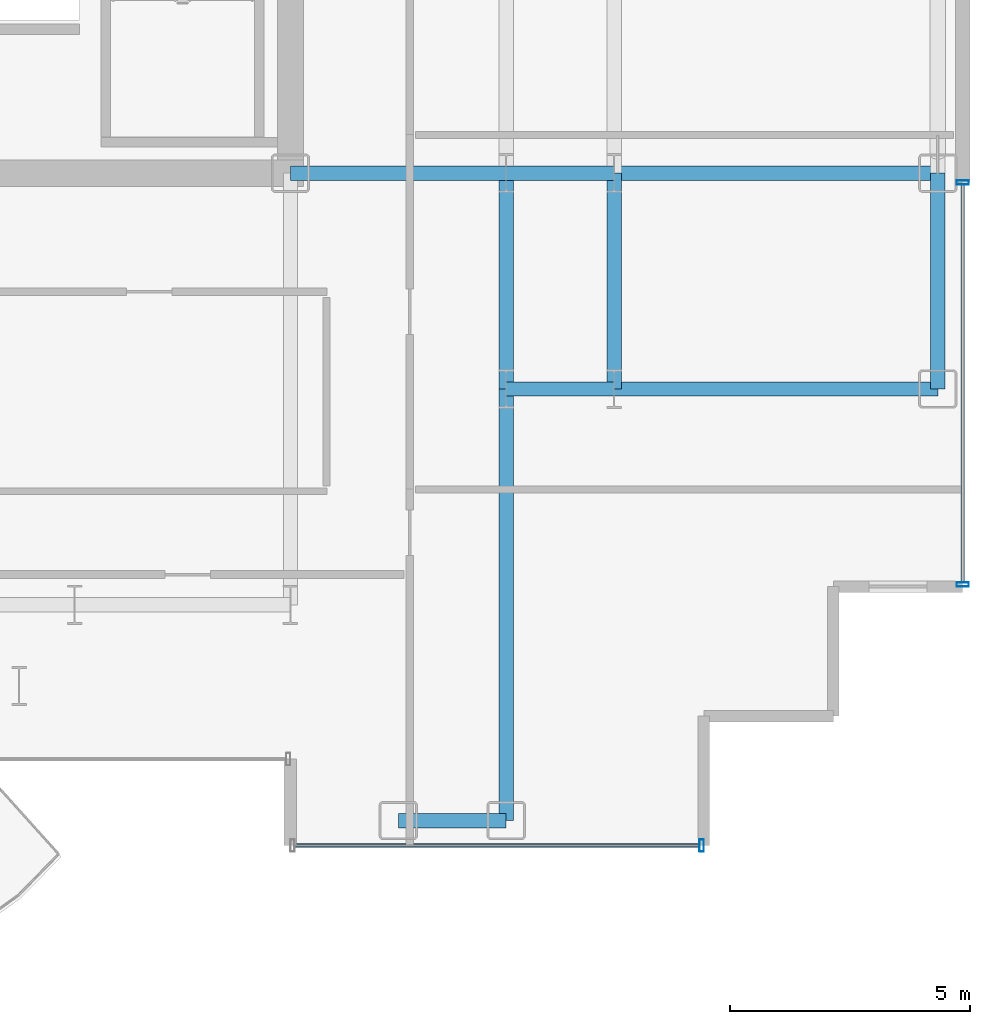
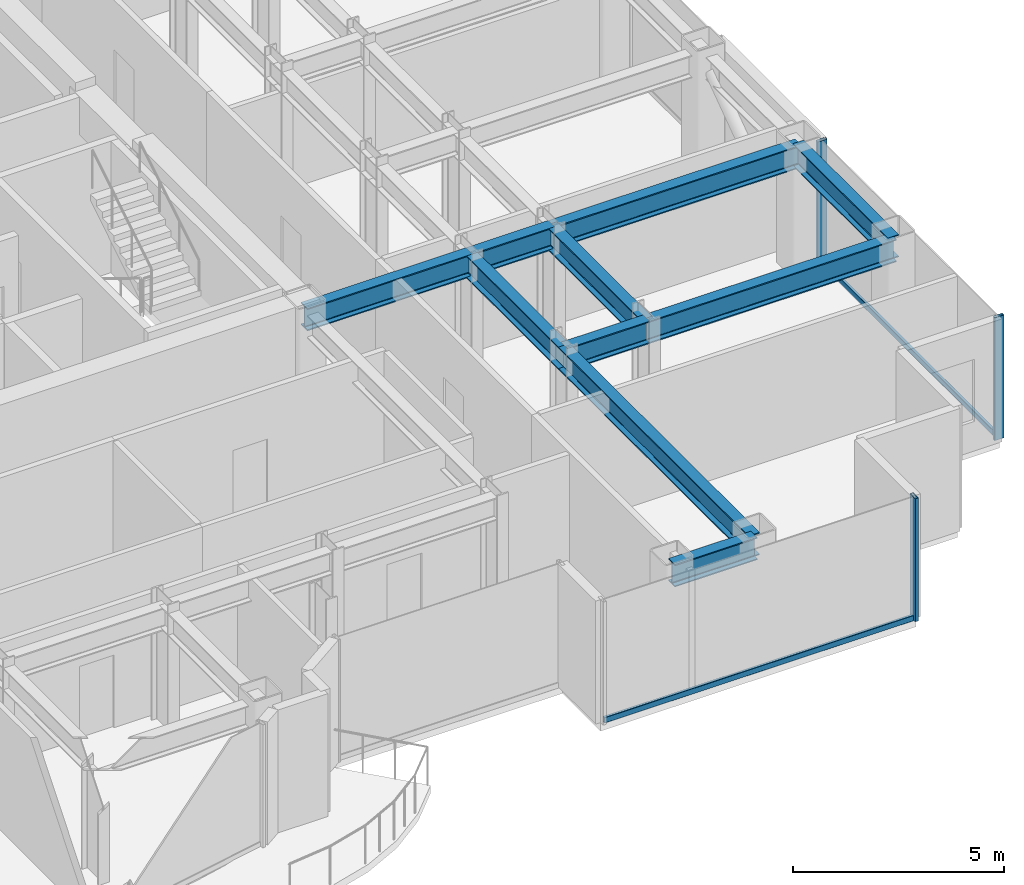
# One storey, part 10 of 25: 10 beams, 5 members, 2 elements without a shape of their own.
"""IFC4 building model written with IfcOpenShell, lengths in metres."""

import ifcopenshell
import ifcopenshell.guid

model = None  # the IFC model being written
_history = None  # IfcOwnerHistory: only IFC2X3 demands one
_inside = {}  # id of a spatial element -> (the spatial element, [elements in it])
_under = {}  # id of a project, library or spatial element -> (it, [spatial elements below it])
_declared = {}  # id of a project -> (the project, [libraries it declares])
_typed = {}  # id of a type object -> (the type object, [elements of that type])
_made_of = {}  # id of a material, layer set ... -> (it, [elements and type objects made of it])


def new_model(schema):
    """Start an empty IFC model of exactly this schema.

    Asked for "IFC4X3", IfcOpenShell would pick the latest addendum, in which some entities
    have other attributes; the version numbers below select the first issue.
    IFC2X3 requires an IfcOwnerHistory on every rooted entity: one is made here for all.
    """
    global model, _history
    if schema == "IFC4X3":
        model = ifcopenshell.file(schema_version=(4, 3, 0, 0))
    else:
        model = ifcopenshell.file(schema=schema)
    _inside.clear()
    _under.clear()
    _declared.clear()
    _typed.clear()
    _made_of.clear()
    _history = None
    if model.schema == "IFC2X3":
        org = make("IfcOrganization", Name="unknown")
        user = make(
            "IfcPersonAndOrganization",
            ThePerson=make("IfcPerson", FamilyName="unknown"),
            TheOrganization=org,
        )
        app = make(
            "IfcApplication",
            ApplicationDeveloper=org,
            Version="unknown",
            ApplicationFullName="unknown",
            ApplicationIdentifier="unknown",
        )
        _history = make(
            "IfcOwnerHistory",
            OwningUser=user,
            OwningApplication=app,
            ChangeAction="ADDED",
            CreationDate=0,
        )
    return model


def make(cls, **values):
    """One entity of the class cls with the attributes given. An attribute that is None is left unset."""
    return model.create_entity(
        cls, **{name: value for name, value in values.items() if value is not None}
    )


def rooted(cls, **values):
    """An entity with a GlobalId (a new one), such as an element, a storey or a relation."""
    return make(cls, GlobalId=ifcopenshell.guid.new(), OwnerHistory=_history, **values)


def si_unit(unit_type, name, prefix=None):
    """IfcSIUnit, for example si_unit("LENGTHUNIT", "METRE", prefix="MILLI")."""
    return make("IfcSIUnit", UnitType=unit_type, Prefix=prefix, Name=name)


def assignment(units):
    """IfcUnitAssignment: the units of a project."""
    return None if units is None else make("IfcUnitAssignment", Units=units)


def point(xyz):
    """IfcCartesianPoint."""
    return None if xyz is None else make("IfcCartesianPoint", Coordinates=xyz)


def direction(xyz):
    """IfcDirection."""
    return None if xyz is None else make("IfcDirection", DirectionRatios=xyz)


def frame(location, z_axis=None, x_axis=None):
    """IfcAxis2Placement3D, a coordinate frame: its origin and axes. An axis left out is left unset."""
    return make(
        "IfcAxis2Placement3D",
        Location=point(location),
        Axis=direction(z_axis),
        RefDirection=direction(x_axis),
    )


def frame_2d(location, x_axis=None):
    """IfcAxis2Placement2D, a coordinate frame in the plane: its origin and x axis."""
    return make(
        "IfcAxis2Placement2D", Location=point(location), RefDirection=direction(x_axis)
    )


def origin():
    """The frame at (0, 0, 0) with its axes left unset."""
    return frame((0.0, 0.0, 0.0))


def origin_2d():
    """The frame at (0, 0) in the plane with its x axis left unset."""
    return frame_2d((0.0, 0.0))


def place(relative_to, where):
    """IfcLocalPlacement: puts the frame where relative to a parent placement (None: the world)."""
    return make(
        "IfcLocalPlacement", PlacementRelTo=relative_to, RelativePlacement=where
    )


def context(
    kind, dimensions, precision=None, world=None, true_north=None, identifier=None
):
    """IfcGeometricRepresentationContext, for example the 3D "Model" context."""
    return make(
        "IfcGeometricRepresentationContext",
        ContextIdentifier=identifier,
        ContextType=kind,
        CoordinateSpaceDimension=dimensions,
        Precision=precision,
        WorldCoordinateSystem=world,
        TrueNorth=true_north,
    )


def subcontext(parent, identifier, kind, view, scale=None):
    """IfcGeometricRepresentationSubContext, for example "Body" below "Model"."""
    return make(
        "IfcGeometricRepresentationSubContext",
        ContextIdentifier=identifier,
        ContextType=kind,
        ParentContext=parent,
        TargetScale=scale,
        TargetView=view,
    )


def project(units=None, contexts=None):
    """IfcProject with its units and contexts."""
    return rooted(
        "IfcProject",
        Name="project",
        RepresentationContexts=contexts,
        UnitsInContext=assignment(units),
    )


def spatial(cls, under=None, at=None, **own):
    """A site, building, storey or space (cls), placed at a placement, below another one or the project."""
    s = rooted(cls, ObjectPlacement=at, **own)
    if under is not None:
        _under.setdefault(under.id(), (under, []))[1].append(s)
    return s


def profile(cls, at=None, kind="AREA", **sizes):
    """A parametric profile (cls). Its sizes go by their IFC names, for example OverallWidth=200.0."""
    return make(cls, ProfileType=kind, Position=at, **sizes)


def hollow_rectangle(**sizes):
    """IfcRectangleHollowProfileDef."""
    return profile("IfcRectangleHollowProfileDef", **sizes)


def i_section(**sizes):
    """IfcIShapeProfileDef."""
    return profile("IfcIShapeProfileDef", **sizes)


def extrude(swept, where, along, depth):
    """IfcExtrudedAreaSolid: the profile swept, set in the frame where, extruded along a direction by depth."""
    return make(
        "IfcExtrudedAreaSolid",
        SweptArea=swept,
        Position=where,
        ExtrudedDirection=direction(along),
        Depth=depth,
    )


def shape(context_of_items, identifier, shape_type, items):
    """IfcShapeRepresentation: the items that make up one representation, for example the "Body"."""
    return make(
        "IfcShapeRepresentation",
        ContextOfItems=context_of_items,
        RepresentationIdentifier=identifier,
        RepresentationType=shape_type,
        Items=items,
    )


def source(mapping_origin, context_of_items, identifier, shape_type, items):
    """IfcRepresentationMap: a shape defined once, which mapped items show again and again."""
    return make(
        "IfcRepresentationMap",
        MappingOrigin=mapping_origin,
        MappedRepresentation=shape(context_of_items, identifier, shape_type, items),
    )


def transform(
    local_origin,
    x_axis=None,
    y_axis=None,
    z_axis=None,
    scale=None,
    scale2=None,
    scale3=None,
    uniform=True,
):
    """IfcCartesianTransformationOperator3D, or its non-uniform kind. x_axis, y_axis, z_axis: its Axis1, 2, 3."""
    if uniform:
        return make(
            "IfcCartesianTransformationOperator3D",
            Axis1=direction(x_axis),
            Axis2=direction(y_axis),
            LocalOrigin=point(local_origin),
            Scale=scale,
            Axis3=direction(z_axis),
        )
    return make(
        "IfcCartesianTransformationOperator3DnonUniform",
        Axis1=direction(x_axis),
        Axis2=direction(y_axis),
        LocalOrigin=point(local_origin),
        Scale=scale,
        Axis3=direction(z_axis),
        Scale2=scale2,
        Scale3=scale3,
    )


def mapped(mapping_source, mapping_target):
    """IfcMappedItem: shows the shape of a source again, moved by a transform."""
    return make(
        "IfcMappedItem", MappingSource=mapping_source, MappingTarget=mapping_target
    )


def material(Name=None, Category=None):
    """IfcMaterial."""
    return make("IfcMaterial", Name=Name, Category=Category)


def layer(
    of_material, thickness, ventilated=None, Name=None, Category=None, Priority=None
):
    """IfcMaterialLayer: one layer of a wall or slab, of a material (None: an air gap)."""
    return make(
        "IfcMaterialLayer",
        Material=of_material,
        LayerThickness=thickness,
        IsVentilated=ventilated,
        Name=Name,
        Category=Category,
        Priority=Priority,
    )


def layer_set(layers, Name=None):
    """IfcMaterialLayerSet."""
    return make("IfcMaterialLayerSet", MaterialLayers=layers, LayerSetName=Name)


def material_profile(
    of_material, cross_section, Name=None, Category=None, Priority=None
):
    """IfcMaterialProfile: a cross section and its material."""
    return make(
        "IfcMaterialProfile",
        Name=Name,
        Material=of_material,
        Profile=cross_section,
        Priority=Priority,
        Category=Category,
    )


def profile_set(profiles, Name=None, composite=None):
    """IfcMaterialProfileSet."""
    return make(
        "IfcMaterialProfileSet",
        Name=Name,
        MaterialProfiles=profiles,
        CompositeProfile=composite,
    )


def made_of(thing, what):
    """Note that an element or type object is made of a material, layer set ...; save() writes the relation."""
    if what is not None:
        _made_of.setdefault(what.id(), (what, []))[1].append(thing)
    return thing


def type_object(cls, material=None, **own):
    """A type object (cls), such as IfcWallType, which elements share."""
    return made_of(rooted(cls, **own), material)


def element(
    cls,
    number,
    at=None,
    inside=None,
    cuts=None,
    type_object=None,
    material=None,
    context=None,
    identifier="Body",
    shape_type=None,
    held_by="IfcProductDefinitionShape",
    body=None,
    shapes=None,
    **own,
):
    """One element of the class cls, such as IfcWall. Its Tag is "e" and its number.

    at: its placement. inside: the storey or other place that contains it. cuts: it is an
    opening in that element (IfcRelVoidsElement). A single representation is given by context,
    identifier, shape_type and body (its items); several are given by shapes. held_by: the class
    of the entity that holds the representations. save() writes the other relations.
    """
    e = rooted(cls, Tag="e%d" % number, ObjectPlacement=at, **own)
    if body is not None:
        shapes = [shape(context, identifier, shape_type, body)]
    if shapes is not None:
        e.Representation = make(held_by, Representations=shapes)
    if inside is not None:
        _inside.setdefault(inside.id(), (inside, []))[1].append(e)
    if cuts is not None:
        rooted(
            "IfcRelVoidsElement", RelatingBuildingElement=cuts, RelatedOpeningElement=e
        )
    if type_object is not None:
        _typed.setdefault(type_object.id(), (type_object, []))[1].append(e)
    return made_of(e, material)


def aggregate(whole, parts):
    """IfcRelAggregates: a whole, such as a stair, and the parts it consists of."""
    return rooted("IfcRelAggregates", RelatingObject=whole, RelatedObjects=parts)


def save(model, path):
    """Write the relations noted so far, then the file.

    IfcRelAggregates (storeys below a building ...), IfcRelContainedInSpatialStructure (elements
    in a storey), IfcRelDefinesByType, IfcRelAssociatesMaterial and IfcRelDeclares: one each for
    every whole, place, type object, material and project.
    """
    for whole, parts in _under.values():
        aggregate(whole, parts)
    for where, things in _inside.values():
        rooted(
            "IfcRelContainedInSpatialStructure",
            RelatedElements=things,
            RelatingStructure=where,
        )
    for kind, things in _typed.values():
        rooted("IfcRelDefinesByType", RelatedObjects=things, RelatingType=kind)
    for what, things in _made_of.values():
        rooted("IfcRelAssociatesMaterial", RelatedObjects=things, RelatingMaterial=what)
    for by, libraries in _declared.values():
        rooted("IfcRelDeclares", RelatingContext=by, RelatedDefinitions=libraries)
    model.write(path)


model = new_model("IFC4")

# Units and contexts
model_context = context("Model", 3, precision=1e-05, world=origin(), true_north=direction((0.0, 1.0)))
body_context = subcontext(model_context, "Body", "Model", "MODEL_VIEW")
ifc_project = project(units=[si_unit("LENGTHUNIT", "METRE"), si_unit("AREAUNIT", "SQUARE_METRE"), si_unit("VOLUMEUNIT", "CUBIC_METRE"), si_unit("PLANEANGLEUNIT", "RADIAN"), si_unit("MASSUNIT", "GRAM", prefix="KILO")], contexts=[model_context])

# Site, building, storey
site_placement = place(None, origin())
site = spatial("IfcSite", under=ifc_project, at=site_placement, CompositionType="ELEMENT")
building_placement = place(site_placement, origin())
building = spatial("IfcBuilding", under=site, at=building_placement, Name="Nefas-Gora Pilgrimage Tower", CompositionType="ELEMENT")
storey_placement = place(building_placement, frame((0.0, 0.0, 194.39990234375)))
storey = spatial("IfcBuildingStorey", under=building, at=storey_placement, Name="L48", CompositionType="ELEMENT", Elevation=194.39990234375)

# Beams
ifc_material_1 = material(Name="Steel S355", Category="steel")
ifc_material_profile_1 = material_profile(ifc_material_1, i_section(OverallWidth=0.300048828125, OverallDepth=0.64990234375, WebThickness=0.01611328125, FlangeThickness=0.031005859375, FilletRadius=0.027099609375, at=origin_2d()), Name="HEB 650")
ifc_profile_set_1 = profile_set([ifc_material_profile_1], Name="Steel S355")
beam_type_1 = type_object("IfcBeamType", Name="BM-SPN-HEB500", PredefinedType="SPANDREL", material=ifc_profile_set_1)
shared_shape_1 = source(origin(), body_context, "Body", "SweptSolid", [
    extrude(i_section(OverallWidth=0.300048828125, OverallDepth=0.64990234375, WebThickness=0.01611328125, FlangeThickness=0.031005859375, FilletRadius=0.027099609375, at=origin_2d()), origin(), (0.0, 0.0, 1.0), 4.5),
])
beam_1_placement = place(storey_placement, frame((24.75, -13.5, 3.22509765625), z_axis=(0.0, 1.0, 0.0), x_axis=(-1.0, 0.0, 0.0)))
element("IfcBeam", 1, at=beam_1_placement, inside=storey, type_object=beam_type_1, Name="L48 SP-02 beam", PredefinedType="SPANDREL", context=body_context, shape_type="MappedRepresentation", body=[
    mapped(shared_shape_1, transform((0.0, 0.0, 0.0), x_axis=(1.0, 0.0, 0.0), y_axis=(0.0, 1.0, 0.0), z_axis=(0.0, 0.0, 1.0), scale=1.0)),
])
ifc_material_profile_2 = material_profile(ifc_material_1, i_section(OverallWidth=0.300048828125, OverallDepth=0.64990234375, WebThickness=0.01611328125, FlangeThickness=0.031005859375, FilletRadius=0.027099609375, at=origin_2d()), Name="HEB 650")
ifc_profile_set_2 = profile_set([ifc_material_profile_2], Name="Steel S355")
beam_type_2 = type_object("IfcBeamType", Name="BM-GIR-HEB650", PredefinedType="BEAM", material=ifc_profile_set_2)
shared_shape_2 = source(origin(), body_context, "Body", "SweptSolid", [
    extrude(i_section(OverallWidth=0.300048828125, OverallDepth=0.64990234375, WebThickness=0.01611328125, FlangeThickness=0.031005859375, FilletRadius=0.027099609375, at=origin_2d()), origin(), (0.0, 0.0, 1.0), 9.0),
])
beam_2_placement = place(storey_placement, frame((15.75, -22.5, 3.22509765625), z_axis=(0.0, 1.0, 0.0), x_axis=(-1.0, 0.0, 0.0)))
element("IfcBeam", 2, at=beam_2_placement, inside=storey, type_object=beam_type_2, Name="L48 G-03 beam", PredefinedType="BEAM", context=body_context, shape_type="MappedRepresentation", body=[
    mapped(shared_shape_2, transform((0.0, 0.0, 0.0), x_axis=(1.0, 0.0, 0.0), y_axis=(0.0, 1.0, 0.0), z_axis=(0.0, 0.0, 1.0), scale=1.0)),
])
shared_shape_3 = source(origin(), body_context, "Body", "SweptSolid", [
    extrude(i_section(OverallWidth=0.300048828125, OverallDepth=0.64990234375, WebThickness=0.01611328125, FlangeThickness=0.031005859375, FilletRadius=0.027099609375, at=origin_2d()), origin(), (0.0, 0.0, 1.0), 4.5),
])
for number, where, z_axis, x_axis, name in (
    (3, (11.25, -9.0, 3.22509765625), (1.0, 0.0, 0.0), (0.0, 1.0, 0.0), "L48 G-03 beam"),
    (4, (15.75, -13.5, 3.22509765625), (0.0, 1.0, 0.0), (-1.0, 0.0, 0.0), "L48 G-03 beam"),
    (5, (18.0, -13.5, 3.22509765625), (0.0, 1.0, 0.0), (-1.0, 0.0, 0.0), "L48 G-03 beam"),
):
    element("IfcBeam", number, at=place(storey_placement, frame(where, z_axis=z_axis, x_axis=x_axis)), inside=storey, type_object=beam_type_2, Name=name, PredefinedType="BEAM", context=body_context, shape_type="MappedRepresentation", body=[
        mapped(shared_shape_3, transform((0.0, 0.0, 0.0), x_axis=(1.0, 0.0, 0.0), y_axis=(0.0, 1.0, 0.0), z_axis=(0.0, 0.0, 1.0), scale=1.0)),
    ])
shared_shape_4 = source(origin(), body_context, "Body", "SweptSolid", [
    extrude(i_section(OverallWidth=0.300048828125, OverallDepth=0.64990234375, WebThickness=0.01611328125, FlangeThickness=0.031005859375, FilletRadius=0.027099609375, at=origin_2d()), origin(), (0.0, 0.0, 1.0), 6.75),
])
for number, where, z_axis, x_axis, name in (
    (6, (18.0, -13.5, 3.22509765625), (1.0, 0.0, 0.0), (0.0, 1.0, 0.0), "L48 G-03 beam"),
    (7, (18.0, -9.0, 3.22509765625), (1.0, 0.0, 0.0), (0.0, 1.0, 0.0), "L48 G-03 beam"),
):
    element("IfcBeam", number, at=place(storey_placement, frame(where, z_axis=z_axis, x_axis=x_axis)), inside=storey, type_object=beam_type_2, Name=name, PredefinedType="BEAM", context=body_context, shape_type="MappedRepresentation", body=[
        mapped(shared_shape_4, transform((0.0, 0.0, 0.0), x_axis=(1.0, 0.0, 0.0), y_axis=(0.0, 1.0, 0.0), z_axis=(0.0, 0.0, 1.0), scale=1.0)),
    ])
shared_shape_5 = source(origin(), body_context, "Body", "SweptSolid", [
    extrude(i_section(OverallWidth=0.300048828125, OverallDepth=0.64990234375, WebThickness=0.01611328125, FlangeThickness=0.031005859375, FilletRadius=0.027099609375, at=origin_2d()), origin(), (0.0, 0.0, 1.0), 2.25),
])
beam_3_placement = place(storey_placement, frame((13.5, -22.5, 3.22509765625), z_axis=(1.0, 0.0, 0.0), x_axis=(0.0, 1.0, 0.0)))
element("IfcBeam", 8, at=beam_3_placement, inside=storey, type_object=beam_type_1, Name="L48 SP-02 beam", PredefinedType="SPANDREL", context=body_context, shape_type="MappedRepresentation", body=[
    mapped(shared_shape_5, transform((0.0, 0.0, 0.0), x_axis=(1.0, 0.0, 0.0), y_axis=(0.0, 1.0, 0.0), z_axis=(0.0, 0.0, 1.0), scale=1.0)),
])
shared_shape_6 = source(origin(), body_context, "Body", "SweptSolid", [
    extrude(i_section(OverallWidth=0.300048828125, OverallDepth=0.64990234375, WebThickness=0.01611328125, FlangeThickness=0.031005859375, FilletRadius=0.027099609375, at=origin_2d()), origin(), (0.0, 0.0, 1.0), 2.25),
])
for number, where, z_axis, x_axis, name in (
    (9, (15.75, -13.5, 3.22509765625), (1.0, 0.0, 0.0), (0.0, 1.0, 0.0), "L48 G-03 beam"),
    (10, (15.75, -9.0, 3.22509765625), (1.0, 0.0, 0.0), (0.0, 1.0, 0.0), "L48 G-03 beam"),
):
    element("IfcBeam", number, at=place(storey_placement, frame(where, z_axis=z_axis, x_axis=x_axis)), inside=storey, type_object=beam_type_2, Name=name, PredefinedType="BEAM", context=body_context, shape_type="MappedRepresentation", body=[
        mapped(shared_shape_6, transform((0.0, 0.0, 0.0), x_axis=(1.0, 0.0, 0.0), y_axis=(0.0, 1.0, 0.0), z_axis=(0.0, 0.0, 1.0), scale=1.0)),
    ])

# Curtain wall, member
ifc_material_2 = material(Name="Dark ceramic-fritted solar-control aluminium-glass curtain wall", Category="aluminium")
ifc_layer = layer(ifc_material_2, 0.219970703125)
ifc_layer_set = layer_set([ifc_layer], Name="Dark ceramic-fritted solar-control aluminium-glass curtain wall")
curtain_wall_type = type_object("IfcCurtainWallType", Name="CW-SYS-3", PredefinedType="NOTDEFINED", material=ifc_layer_set)
curtain_wall_1_placement = place(storey_placement, origin())
curtain_wall_1 = element("IfcCurtainWall", 11, at=curtain_wall_1_placement, inside=storey, type_object=curtain_wall_type, Name="L48 Unitised Curtain Wall CW3", PredefinedType="NOTDEFINED")
ifc_material_3 = material(Name="Anodised architectural aluminium", Category="aluminium")
ifc_material_profile_3 = material_profile(ifc_material_3, hollow_rectangle(XDim=0.090087890625, YDim=0.260009765625, WallThickness=0.006103515625, InnerFilletRadius=0.006103515625, OuterFilletRadius=0.011962890625, at=origin_2d()), Name="ALU MULLION 90x260")
ifc_profile_set_3 = profile_set([ifc_material_profile_3], Name="Anodised architectural aluminium")
member_type_1 = type_object("IfcMemberType", Name="CWM-MUL-3", PredefinedType="MULLION", material=ifc_profile_set_3)
shared_shape_7 = source(origin(), body_context, "Body", "SweptSolid", [
    extrude(hollow_rectangle(XDim=0.090087890625, YDim=0.260009765625, WallThickness=0.006103515625, InnerFilletRadius=0.006103515625, OuterFilletRadius=0.011962890625, at=origin_2d()), origin(), (0.0, 0.0, 1.0), 3.550048828125),
])
member_1_placement = place(storey_placement, frame((19.824951171875, -23.02001953125, 0.0), z_axis=(0.0, 0.0, 1.0), x_axis=(1.0, 0.0, 0.0)))
member_1 = element("IfcMember", 12, at=member_1_placement, type_object=member_type_1, Name="CW3 Mullion 2", PredefinedType="MULLION", context=body_context, shape_type="MappedRepresentation", body=[
    mapped(shared_shape_7, transform((0.0, 0.0, 0.0), x_axis=(1.0, 0.0, 0.0), y_axis=(0.0, 1.0, 0.0), z_axis=(0.0, 0.0, 1.0), scale=1.0)),
])

# Curtain wall, members
curtain_wall_2_placement = place(storey_placement, origin())
curtain_wall_2 = element("IfcCurtainWall", 13, at=curtain_wall_2_placement, inside=storey, type_object=curtain_wall_type, Name="L48 Unitised Curtain Wall CW3", PredefinedType="NOTDEFINED")
member_2_placement = place(storey_placement, frame((25.27001953125, -17.574951171875, 0.0), z_axis=(0.0, 0.0, 1.0), x_axis=(0.0, 1.0, 0.0)))
member_2 = element("IfcMember", 14, at=member_2_placement, type_object=member_type_1, Name="CW3 Mullion 1", PredefinedType="MULLION", context=body_context, shape_type="MappedRepresentation", body=[
    mapped(shared_shape_7, transform((0.0, 0.0, 0.0), x_axis=(1.0, 0.0, 0.0), y_axis=(0.0, 1.0, 0.0), z_axis=(0.0, 0.0, 1.0), scale=1.0)),
])
member_3_placement = place(storey_placement, frame((25.27001953125, -9.195068359375, 0.0), z_axis=(0.0, 0.0, 1.0), x_axis=(0.0, 1.0, 0.0)))
member_3 = element("IfcMember", 15, at=member_3_placement, type_object=member_type_1, Name="CW3 Mullion 2", PredefinedType="MULLION", context=body_context, shape_type="MappedRepresentation", body=[
    mapped(shared_shape_7, transform((0.0, 0.0, 0.0), x_axis=(1.0, 0.0, 0.0), y_axis=(0.0, 1.0, 0.0), z_axis=(0.0, 0.0, 1.0), scale=1.0)),
])

# Member
ifc_material_profile_4 = material_profile(ifc_material_3, hollow_rectangle(XDim=0.080078125, YDim=0.159912109375, WallThickness=0.00439453125, InnerFilletRadius=0.00439453125, OuterFilletRadius=0.009033203125, at=origin_2d()), Name="ALU TRANSOM 80x160")
ifc_profile_set_4 = profile_set([ifc_material_profile_4], Name="Anodised architectural aluminium")
member_type_2 = type_object("IfcMemberType", Name="CWM-TRN-3", PredefinedType="USERDEFINED", material=ifc_profile_set_4)
shared_shape_8 = source(origin(), body_context, "Body", "SweptSolid", [
    extrude(hollow_rectangle(XDim=0.080078125, YDim=0.159912109375, WallThickness=0.00439453125, InnerFilletRadius=0.00439453125, OuterFilletRadius=0.009033203125, at=origin_2d()), origin(), (0.0, 0.0, 1.0), 8.43994140625),
])
member_4_placement = place(storey_placement, frame((11.340087890625, -23.02001953125, 0.050048828125), z_axis=(1.0, 0.0, 0.0), x_axis=(0.0, 1.0, 0.0)))
member_4 = element("IfcMember", 16, at=member_4_placement, type_object=member_type_2, Name="CW3 Spandrel Transom", ObjectType="TRANSOM", PredefinedType="USERDEFINED", context=body_context, shape_type="MappedRepresentation", body=[
    mapped(shared_shape_8, transform((0.0, 0.0, 0.0), x_axis=(1.0, 0.0, 0.0), y_axis=(0.0, 1.0, 0.0), z_axis=(0.0, 0.0, 1.0), scale=1.0)),
])

aggregate(curtain_wall_1, [member_1, member_4])

shared_shape_9 = source(origin(), body_context, "Body", "SweptSolid", [
    extrude(hollow_rectangle(XDim=0.080078125, YDim=0.159912109375, WallThickness=0.00439453125, InnerFilletRadius=0.00439453125, OuterFilletRadius=0.009033203125, at=origin_2d()), origin(), (0.0, 0.0, 1.0), 8.2900390625),
])
member_5_placement = place(storey_placement, frame((25.27001953125, -17.530029296875, 0.050048828125), z_axis=(0.0, 1.0, 0.0), x_axis=(-1.0, 0.0, 0.0)))
member_5 = element("IfcMember", 17, at=member_5_placement, type_object=member_type_2, Name="CW3 Spandrel Transom", ObjectType="TRANSOM", PredefinedType="USERDEFINED", context=body_context, shape_type="MappedRepresentation", body=[
    mapped(shared_shape_9, transform((0.0, 0.0, 0.0), x_axis=(1.0, 0.0, 0.0), y_axis=(0.0, 1.0, 0.0), z_axis=(0.0, 0.0, 1.0), scale=1.0)),
])

aggregate(curtain_wall_2, [member_2, member_3, member_5])

save(model, "model.ifc")
